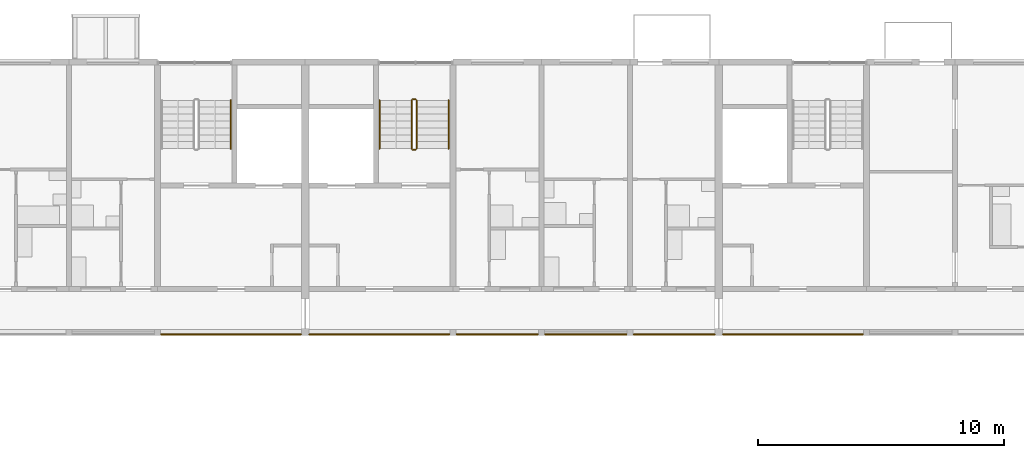
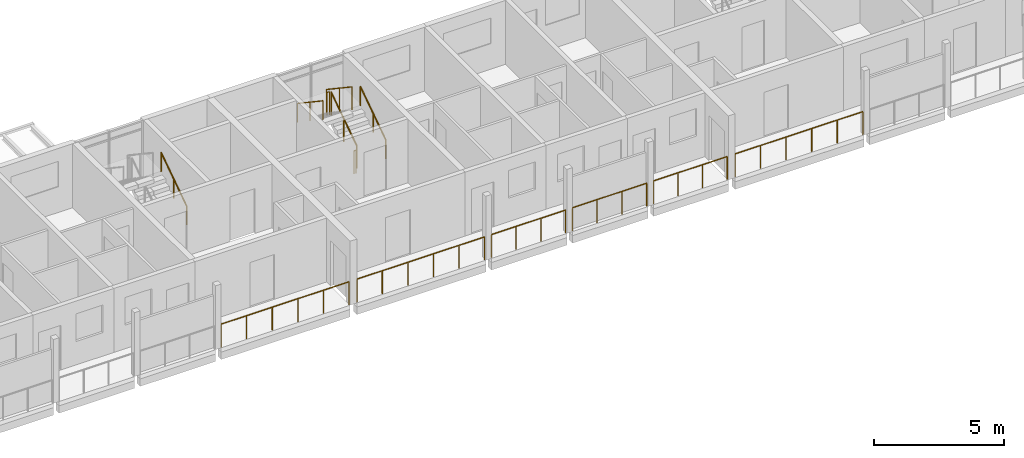
# One storey, part 85 of 99: 13 railings.
"""IFC4 building model written with IfcOpenShell, lengths in metres."""

from ifc_helpers import new_model, si_unit, direction, frame, origin, origin_2d, place, context, subcontext, project, spatial, circle, extrude, material, type_object, element, save


model = new_model("IFC4")

# Units and contexts
model_context = context("Model", 3, precision=1e-05, world=origin(), true_north=direction((0.0, 1.0)))
body_context = subcontext(model_context, "Body", "Model", "MODEL_VIEW")
ifc_project = project(units=[si_unit("LENGTHUNIT", "METRE"), si_unit("AREAUNIT", "SQUARE_METRE"), si_unit("VOLUMEUNIT", "CUBIC_METRE"), si_unit("PLANEANGLEUNIT", "RADIAN"), si_unit("MASSUNIT", "GRAM", prefix="KILO")], contexts=[model_context])

# Site, building, storey
site_placement = place(None, origin())
site = spatial("IfcSite", under=ifc_project, at=site_placement, CompositionType="ELEMENT")
building_placement = place(site_placement, origin())
building = spatial("IfcBuilding", under=site, at=building_placement, Name="Ridgestep Commons", CompositionType="ELEMENT")
storey_placement = place(building_placement, frame((0.0, 0.0, 15.0)))
storey = spatial("IfcBuildingStorey", under=building, at=storey_placement, Name="L05", CompositionType="ELEMENT", Elevation=15.0)

# Railings
ifc_material_1 = material(Name="Structural steel S355JR", Category="steel")
railing_type_1 = type_object("IfcRailingType", Name="Guard 1100", PredefinedType="GUARDRAIL", material=ifc_material_1)
railing_1_placement = place(storey_placement, frame((73.345947265625, 66.050048828125, 0.0)))
element("IfcRailing", 1, at=railing_1_placement, inside=storey, type_object=railing_type_1, Name="Gallery guard B 05.16", PredefinedType="GUARDRAIL", context=body_context, shape_type="SweptSolid", body=[
    extrude(circle(Radius=0.02392578125, at=origin_2d()), frame((0.0, 0.0, 1.076171875), z_axis=(1.0, 0.0, 0.0), x_axis=(0.0, 1.0, 0.0)), (0.0, 0.0, 1.0), 5.68310546875),
    extrude(circle(Radius=0.02099609375, at=origin_2d()), origin(), (0.0, 0.0, 1.0), 1.052001953125),
    extrude(circle(Radius=0.02099609375, at=origin_2d()), frame((1.13671875, 0.0, 0.0)), (0.0, 0.0, 1.0), 1.052001953125),
    extrude(circle(Radius=0.02099609375, at=origin_2d()), frame((2.273193359375, 0.0, 0.0)), (0.0, 0.0, 1.0), 1.052001953125),
    extrude(circle(Radius=0.02099609375, at=origin_2d()), frame((3.409912109375, 0.0, 0.0)), (0.0, 0.0, 1.0), 1.052001953125),
    extrude(circle(Radius=0.02099609375, at=origin_2d()), frame((4.54638671875, 0.0, 0.0)), (0.0, 0.0, 1.0), 1.052001953125),
    extrude(circle(Radius=0.02099609375, at=origin_2d()), frame((5.68310546875, 0.0, 0.0)), (0.0, 0.0, 1.0), 1.052001953125),
])
railing_2_placement = place(storey_placement, frame((79.37109375, 66.050048828125, 0.0)))
element("IfcRailing", 2, at=railing_2_placement, inside=storey, type_object=railing_type_1, Name="Gallery guard B 05.17", PredefinedType="GUARDRAIL", context=body_context, shape_type="SweptSolid", body=[
    extrude(circle(Radius=0.02392578125, at=origin_2d()), frame((0.0, 0.0, 1.076171875), z_axis=(1.0, 0.0, 0.0), x_axis=(0.0, 1.0, 0.0)), (0.0, 0.0, 1.0), 5.682861328125),
    extrude(circle(Radius=0.02099609375, at=origin_2d()), origin(), (0.0, 0.0, 1.0), 1.052001953125),
    extrude(circle(Radius=0.02099609375, at=origin_2d()), frame((1.136474609375, 0.0, 0.0)), (0.0, 0.0, 1.0), 1.052001953125),
    extrude(circle(Radius=0.02099609375, at=origin_2d()), frame((2.273193359375, 0.0, 0.0)), (0.0, 0.0, 1.0), 1.052001953125),
    extrude(circle(Radius=0.02099609375, at=origin_2d()), frame((3.40966796875, 0.0, 0.0)), (0.0, 0.0, 1.0), 1.052001953125),
    extrude(circle(Radius=0.02099609375, at=origin_2d()), frame((4.54638671875, 0.0, 0.0)), (0.0, 0.0, 1.0), 1.052001953125),
    extrude(circle(Radius=0.02099609375, at=origin_2d()), frame((5.682861328125, 0.0, 0.0)), (0.0, 0.0, 1.0), 1.052001953125),
])
railing_3_placement = place(storey_placement, frame((85.345947265625, 66.050048828125, 0.0)))
element("IfcRailing", 3, at=railing_3_placement, inside=storey, type_object=railing_type_1, Name="Gallery guard B 05.18", PredefinedType="GUARDRAIL", context=body_context, shape_type="SweptSolid", body=[
    extrude(circle(Radius=0.02392578125, at=origin_2d()), frame((0.0, 0.0, 1.076171875), z_axis=(1.0, 0.0, 0.0), x_axis=(0.0, 1.0, 0.0)), (0.0, 0.0, 1.0), 3.30810546875),
    extrude(circle(Radius=0.02099609375, at=origin_2d()), origin(), (0.0, 0.0, 1.0), 1.052001953125),
    extrude(circle(Radius=0.02099609375, at=origin_2d()), frame((1.102783203125, 0.0, 0.0)), (0.0, 0.0, 1.0), 1.052001953125),
    extrude(circle(Radius=0.02099609375, at=origin_2d()), frame((2.205322265625, 0.0, 0.0)), (0.0, 0.0, 1.0), 1.052001953125),
    extrude(circle(Radius=0.02099609375, at=origin_2d()), frame((3.30810546875, 0.0, 0.0)), (0.0, 0.0, 1.0), 1.052001953125),
])
railing_4_placement = place(storey_placement, frame((88.946044921875, 66.050048828125, 0.0)))
element("IfcRailing", 4, at=railing_4_placement, inside=storey, type_object=railing_type_1, Name="Gallery guard B 05.19", PredefinedType="GUARDRAIL", context=body_context, shape_type="SweptSolid", body=[
    extrude(circle(Radius=0.02392578125, at=origin_2d()), frame((0.0, 0.0, 1.076171875), z_axis=(1.0, 0.0, 0.0), x_axis=(0.0, 1.0, 0.0)), (0.0, 0.0, 1.0), 3.307861328125),
    extrude(circle(Radius=0.02099609375, at=origin_2d()), origin(), (0.0, 0.0, 1.0), 1.052001953125),
    extrude(circle(Radius=0.02099609375, at=origin_2d()), frame((1.1025390625, 0.0, 0.0)), (0.0, 0.0, 1.0), 1.052001953125),
    extrude(circle(Radius=0.02099609375, at=origin_2d()), frame((2.205322265625, 0.0, 0.0)), (0.0, 0.0, 1.0), 1.052001953125),
    extrude(circle(Radius=0.02099609375, at=origin_2d()), frame((3.307861328125, 0.0, 0.0)), (0.0, 0.0, 1.0), 1.052001953125),
])
railing_5_placement = place(storey_placement, frame((92.5458984375, 66.050048828125, 0.0)))
element("IfcRailing", 5, at=railing_5_placement, inside=storey, type_object=railing_type_1, Name="Gallery guard B 05.20", PredefinedType="GUARDRAIL", context=body_context, shape_type="SweptSolid", body=[
    extrude(circle(Radius=0.02392578125, at=origin_2d()), frame((0.0, 0.0, 1.076171875), z_axis=(1.0, 0.0, 0.0), x_axis=(0.0, 1.0, 0.0)), (0.0, 0.0, 1.0), 3.283203125),
    extrude(circle(Radius=0.02099609375, at=origin_2d()), origin(), (0.0, 0.0, 1.0), 1.052001953125),
    extrude(circle(Radius=0.02099609375, at=origin_2d()), frame((1.094482421875, 0.0, 0.0)), (0.0, 0.0, 1.0), 1.052001953125),
    extrude(circle(Radius=0.02099609375, at=origin_2d()), frame((2.188720703125, 0.0, 0.0)), (0.0, 0.0, 1.0), 1.052001953125),
    extrude(circle(Radius=0.02099609375, at=origin_2d()), frame((3.283203125, 0.0, 0.0)), (0.0, 0.0, 1.0), 1.052001953125),
])
railing_6_placement = place(storey_placement, frame((96.1708984375, 66.050048828125, 0.0)))
element("IfcRailing", 6, at=railing_6_placement, inside=storey, type_object=railing_type_1, Name="Gallery guard B 05.21", PredefinedType="GUARDRAIL", context=body_context, shape_type="SweptSolid", body=[
    extrude(circle(Radius=0.02392578125, at=origin_2d()), frame((0.0, 0.0, 1.076171875), z_axis=(1.0, 0.0, 0.0), x_axis=(0.0, 1.0, 0.0)), (0.0, 0.0, 1.0), 5.68310546875),
    extrude(circle(Radius=0.02099609375, at=origin_2d()), origin(), (0.0, 0.0, 1.0), 1.052001953125),
    extrude(circle(Radius=0.02099609375, at=origin_2d()), frame((1.13671875, 0.0, 0.0)), (0.0, 0.0, 1.0), 1.052001953125),
    extrude(circle(Radius=0.02099609375, at=origin_2d()), frame((2.273193359375, 0.0, 0.0)), (0.0, 0.0, 1.0), 1.052001953125),
    extrude(circle(Radius=0.02099609375, at=origin_2d()), frame((3.409912109375, 0.0, 0.0)), (0.0, 0.0, 1.0), 1.052001953125),
    extrude(circle(Radius=0.02099609375, at=origin_2d()), frame((4.54638671875, 0.0, 0.0)), (0.0, 0.0, 1.0), 1.052001953125),
    extrude(circle(Radius=0.02099609375, at=origin_2d()), frame((5.68310546875, 0.0, 0.0)), (0.0, 0.0, 1.0), 1.052001953125),
])
ifc_material_2 = material(Name="Structural steel S355JR", Category="steel")
railing_type_2 = type_object("IfcRailingType", Name="Stair guard 1100", PredefinedType="GUARDRAIL", material=ifc_material_2)
railing_7_placement = place(storey_placement, frame((83.72509765625, 73.60009765625, 0.1875)))
element("IfcRailing", 7, at=railing_7_placement, inside=storey, type_object=railing_type_2, Name="L05 B5C stair guard 1", PredefinedType="GUARDRAIL", context=body_context, shape_type="SweptSolid", body=[
    extrude(circle(Radius=0.02392578125, at=origin_2d()), frame((0.0, 0.0, 1.076171875), z_axis=(0.0, 0.830902050051, 0.556418712142), x_axis=(-1.0, 0.0, 0.0)), (0.0, 0.0, 1.0), 2.35888671875),
    extrude(circle(Radius=0.02099609375, at=origin_2d()), origin(), (0.0, 0.0, 1.0), 1.052001953125),
    extrude(circle(Radius=0.02099609375, at=origin_2d()), frame((0.0, 0.97998046875, 0.65625)), (0.0, 0.0, 1.0), 1.052001953125),
    extrude(circle(Radius=0.02099609375, at=origin_2d()), frame((0.0, 1.9599609375, 1.3125)), (0.0, 0.0, 1.0), 1.052001953125),
])
railing_8_placement = place(storey_placement, frame((83.675048828125, 75.610107421875, 1.5)))
element("IfcRailing", 8, at=railing_8_placement, inside=storey, type_object=railing_type_2, Name="L05 B5C stair guard 2", PredefinedType="GUARDRAIL", context=body_context, shape_type="SweptSolid", body=[
    extrude(circle(Radius=0.02392578125, at=origin_2d()), frame((0.0, 0.0, 1.076171875), z_axis=(-1.0, 0.0, 0.0), x_axis=(0.0, -1.0, 0.0)), (0.0, 0.0, 1.0), 0.10009765625),
    extrude(circle(Radius=0.02099609375, at=origin_2d()), origin(), (0.0, 0.0, 1.0), 1.052001953125),
    extrude(circle(Radius=0.02099609375, at=origin_2d()), frame((-0.10009765625, 0.0, 0.0)), (0.0, 0.0, 1.0), 1.052001953125),
])
railing_9_placement = place(storey_placement, frame((83.52490234375, 75.56005859375, 1.6875)))
element("IfcRailing", 9, at=railing_9_placement, inside=storey, type_object=railing_type_2, Name="L05 B5C stair guard 3", PredefinedType="GUARDRAIL", context=body_context, shape_type="SweptSolid", body=[
    extrude(circle(Radius=0.02392578125, at=origin_2d()), frame((0.0, 0.0, 1.076171875), z_axis=(0.0, -0.830902050051, 0.556418712142), x_axis=(1.0, 0.0, 0.0)), (0.0, 0.0, 1.0), 2.35888671875),
    extrude(circle(Radius=0.02099609375, at=origin_2d()), origin(), (0.0, 0.0, 1.0), 1.052001953125),
    extrude(circle(Radius=0.02099609375, at=origin_2d()), frame((0.0, -0.97998046875, 0.65625)), (0.0, 0.0, 1.0), 1.052001953125),
    extrude(circle(Radius=0.02099609375, at=origin_2d()), frame((0.0, -1.9599609375, 1.3125)), (0.0, 0.0, 1.0), 1.052001953125),
])
railing_10_placement = place(storey_placement, frame((83.675048828125, 73.550048828125, 0.0)))
element("IfcRailing", 10, at=railing_10_placement, inside=storey, type_object=railing_type_2, Name="L05 B5C stair guard 4", PredefinedType="GUARDRAIL", context=body_context, shape_type="SweptSolid", body=[
    extrude(circle(Radius=0.02392578125, at=origin_2d()), frame((0.0, 0.0, 1.076171875), z_axis=(-1.0, 0.0, 0.0), x_axis=(0.0, -1.0, 0.0)), (0.0, 0.0, 1.0), 0.10009765625),
    extrude(circle(Radius=0.02099609375, at=origin_2d()), origin(), (0.0, 0.0, 1.0), 1.052001953125),
    extrude(circle(Radius=0.02099609375, at=origin_2d()), frame((-0.10009765625, 0.0, 0.0)), (0.0, 0.0, 1.0), 1.052001953125),
])
ifc_material_3 = material(Name="Structural steel S355JR", Category="steel")
railing_type_3 = type_object("IfcRailingType", Name="Stair handrail 900", PredefinedType="HANDRAIL", material=ifc_material_3)
for number, where, name in (
    (11, (76.175048828125, 73.60009765625, 0.1875), "L05 B4C stair handrail 1"),
    (12, (85.02490234375, 73.60009765625, 0.1875), "L05 B5C stair handrail 1"),
):
    element("IfcRailing", number, at=place(storey_placement, frame(where)), inside=storey, type_object=railing_type_3, Name=name, PredefinedType="HANDRAIL", context=body_context, shape_type="SweptSolid", body=[
        extrude(circle(Radius=0.02392578125, at=origin_2d()), frame((0.0, 0.0, 0.8759765625), z_axis=(0.0, 0.830902050051, 0.556418712142), x_axis=(-1.0, 0.0, 0.0)), (0.0, 0.0, 1.0), 2.35888671875),
        extrude(circle(Radius=0.02099609375, at=origin_2d()), origin(), (0.0, 0.0, 1.0), 0.851806640625),
        extrude(circle(Radius=0.02099609375, at=origin_2d()), frame((0.0, 0.97998046875, 0.65625)), (0.0, 0.0, 1.0), 0.851806640625),
        extrude(circle(Radius=0.02099609375, at=origin_2d()), frame((0.0, 1.9599609375, 1.3125)), (0.0, 0.0, 1.0), 0.851806640625),
    ])
railing_11_placement = place(storey_placement, frame((82.22509765625, 75.56005859375, 1.6875)))
element("IfcRailing", 13, at=railing_11_placement, inside=storey, type_object=railing_type_3, Name="L05 B5C stair handrail 2", PredefinedType="HANDRAIL", context=body_context, shape_type="SweptSolid", body=[
    extrude(circle(Radius=0.02392578125, at=origin_2d()), frame((0.0, 0.0, 0.8759765625), z_axis=(0.0, -0.830902050051, 0.556418712142), x_axis=(1.0, 0.0, 0.0)), (0.0, 0.0, 1.0), 2.35888671875),
    extrude(circle(Radius=0.02099609375, at=origin_2d()), origin(), (0.0, 0.0, 1.0), 0.851806640625),
    extrude(circle(Radius=0.02099609375, at=origin_2d()), frame((0.0, -0.97998046875, 0.65625)), (0.0, 0.0, 1.0), 0.851806640625),
    extrude(circle(Radius=0.02099609375, at=origin_2d()), frame((0.0, -1.9599609375, 1.3125)), (0.0, 0.0, 1.0), 0.851806640625),
])

save(model, "model.ifc")
